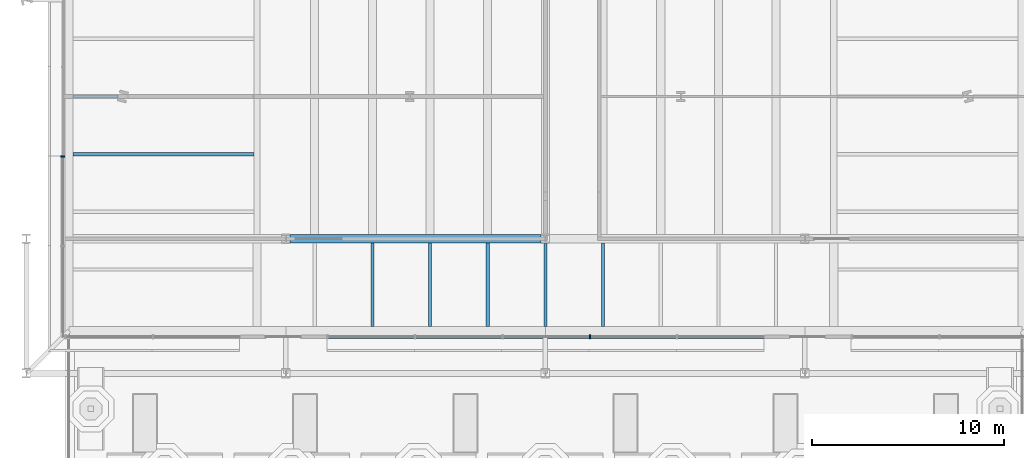
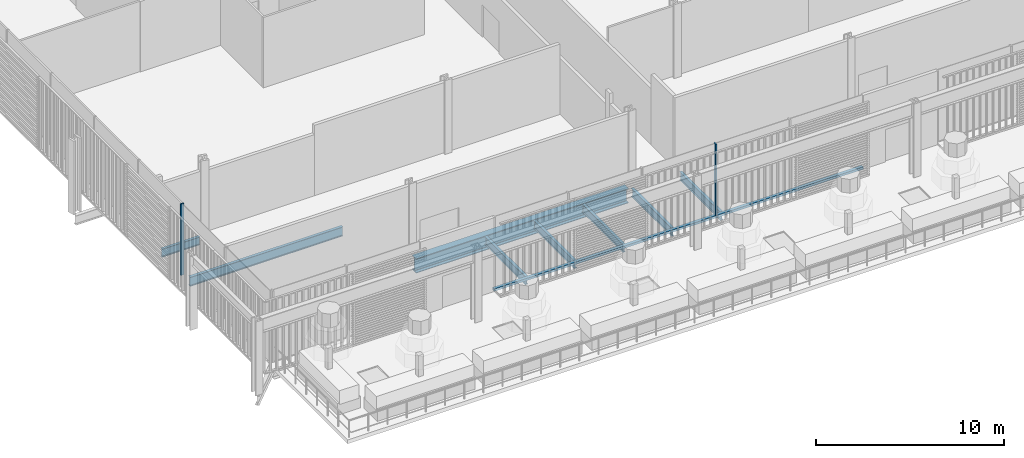
# One storey, part 3 of 25: 8 beams, 3 members, 2 elements without a shape of their own.
"""IFC4 building model written with IfcOpenShell, lengths in metres."""

import ifcopenshell
import ifcopenshell.guid

model = None  # the IFC model being written
_history = None  # IfcOwnerHistory: only IFC2X3 demands one
_inside = {}  # id of a spatial element -> (the spatial element, [elements in it])
_under = {}  # id of a project, library or spatial element -> (it, [spatial elements below it])
_declared = {}  # id of a project -> (the project, [libraries it declares])
_typed = {}  # id of a type object -> (the type object, [elements of that type])
_made_of = {}  # id of a material, layer set ... -> (it, [elements and type objects made of it])


def new_model(schema):
    """Start an empty IFC model of exactly this schema.

    Asked for "IFC4X3", IfcOpenShell would pick the latest addendum, in which some entities
    have other attributes; the version numbers below select the first issue.
    IFC2X3 requires an IfcOwnerHistory on every rooted entity: one is made here for all.
    """
    global model, _history
    if schema == "IFC4X3":
        model = ifcopenshell.file(schema_version=(4, 3, 0, 0))
    else:
        model = ifcopenshell.file(schema=schema)
    _inside.clear()
    _under.clear()
    _declared.clear()
    _typed.clear()
    _made_of.clear()
    _history = None
    if model.schema == "IFC2X3":
        org = make("IfcOrganization", Name="unknown")
        user = make(
            "IfcPersonAndOrganization",
            ThePerson=make("IfcPerson", FamilyName="unknown"),
            TheOrganization=org,
        )
        app = make(
            "IfcApplication",
            ApplicationDeveloper=org,
            Version="unknown",
            ApplicationFullName="unknown",
            ApplicationIdentifier="unknown",
        )
        _history = make(
            "IfcOwnerHistory",
            OwningUser=user,
            OwningApplication=app,
            ChangeAction="ADDED",
            CreationDate=0,
        )
    return model


def make(cls, **values):
    """One entity of the class cls with the attributes given. An attribute that is None is left unset."""
    return model.create_entity(
        cls, **{name: value for name, value in values.items() if value is not None}
    )


def rooted(cls, **values):
    """An entity with a GlobalId (a new one), such as an element, a storey or a relation."""
    return make(cls, GlobalId=ifcopenshell.guid.new(), OwnerHistory=_history, **values)


def si_unit(unit_type, name, prefix=None):
    """IfcSIUnit, for example si_unit("LENGTHUNIT", "METRE", prefix="MILLI")."""
    return make("IfcSIUnit", UnitType=unit_type, Prefix=prefix, Name=name)


def assignment(units):
    """IfcUnitAssignment: the units of a project."""
    return None if units is None else make("IfcUnitAssignment", Units=units)


def point(xyz):
    """IfcCartesianPoint."""
    return None if xyz is None else make("IfcCartesianPoint", Coordinates=xyz)


def direction(xyz):
    """IfcDirection."""
    return None if xyz is None else make("IfcDirection", DirectionRatios=xyz)


def frame(location, z_axis=None, x_axis=None):
    """IfcAxis2Placement3D, a coordinate frame: its origin and axes. An axis left out is left unset."""
    return make(
        "IfcAxis2Placement3D",
        Location=point(location),
        Axis=direction(z_axis),
        RefDirection=direction(x_axis),
    )


def frame_2d(location, x_axis=None):
    """IfcAxis2Placement2D, a coordinate frame in the plane: its origin and x axis."""
    return make(
        "IfcAxis2Placement2D", Location=point(location), RefDirection=direction(x_axis)
    )


def origin():
    """The frame at (0, 0, 0) with its axes left unset."""
    return frame((0.0, 0.0, 0.0))


def origin_2d():
    """The frame at (0, 0) in the plane with its x axis left unset."""
    return frame_2d((0.0, 0.0))


def place(relative_to, where):
    """IfcLocalPlacement: puts the frame where relative to a parent placement (None: the world)."""
    return make(
        "IfcLocalPlacement", PlacementRelTo=relative_to, RelativePlacement=where
    )


def context(
    kind, dimensions, precision=None, world=None, true_north=None, identifier=None
):
    """IfcGeometricRepresentationContext, for example the 3D "Model" context."""
    return make(
        "IfcGeometricRepresentationContext",
        ContextIdentifier=identifier,
        ContextType=kind,
        CoordinateSpaceDimension=dimensions,
        Precision=precision,
        WorldCoordinateSystem=world,
        TrueNorth=true_north,
    )


def subcontext(parent, identifier, kind, view, scale=None):
    """IfcGeometricRepresentationSubContext, for example "Body" below "Model"."""
    return make(
        "IfcGeometricRepresentationSubContext",
        ContextIdentifier=identifier,
        ContextType=kind,
        ParentContext=parent,
        TargetScale=scale,
        TargetView=view,
    )


def project(units=None, contexts=None):
    """IfcProject with its units and contexts."""
    return rooted(
        "IfcProject",
        Name="project",
        RepresentationContexts=contexts,
        UnitsInContext=assignment(units),
    )


def spatial(cls, under=None, at=None, **own):
    """A site, building, storey or space (cls), placed at a placement, below another one or the project."""
    s = rooted(cls, ObjectPlacement=at, **own)
    if under is not None:
        _under.setdefault(under.id(), (under, []))[1].append(s)
    return s


def profile(cls, at=None, kind="AREA", **sizes):
    """A parametric profile (cls). Its sizes go by their IFC names, for example OverallWidth=200.0."""
    return make(cls, ProfileType=kind, Position=at, **sizes)


def rectangle(**sizes):
    """IfcRectangleProfileDef."""
    return profile("IfcRectangleProfileDef", **sizes)


def i_section(**sizes):
    """IfcIShapeProfileDef."""
    return profile("IfcIShapeProfileDef", **sizes)


def extrude(swept, where, along, depth):
    """IfcExtrudedAreaSolid: the profile swept, set in the frame where, extruded along a direction by depth."""
    return make(
        "IfcExtrudedAreaSolid",
        SweptArea=swept,
        Position=where,
        ExtrudedDirection=direction(along),
        Depth=depth,
    )


def shape(context_of_items, identifier, shape_type, items):
    """IfcShapeRepresentation: the items that make up one representation, for example the "Body"."""
    return make(
        "IfcShapeRepresentation",
        ContextOfItems=context_of_items,
        RepresentationIdentifier=identifier,
        RepresentationType=shape_type,
        Items=items,
    )


def material(Name=None, Category=None):
    """IfcMaterial."""
    return make("IfcMaterial", Name=Name, Category=Category)


def layer(
    of_material, thickness, ventilated=None, Name=None, Category=None, Priority=None
):
    """IfcMaterialLayer: one layer of a wall or slab, of a material (None: an air gap)."""
    return make(
        "IfcMaterialLayer",
        Material=of_material,
        LayerThickness=thickness,
        IsVentilated=ventilated,
        Name=Name,
        Category=Category,
        Priority=Priority,
    )


def layer_set(layers, Name=None):
    """IfcMaterialLayerSet."""
    return make("IfcMaterialLayerSet", MaterialLayers=layers, LayerSetName=Name)


def material_profile(
    of_material, cross_section, Name=None, Category=None, Priority=None
):
    """IfcMaterialProfile: a cross section and its material."""
    return make(
        "IfcMaterialProfile",
        Name=Name,
        Material=of_material,
        Profile=cross_section,
        Priority=Priority,
        Category=Category,
    )


def profile_set(profiles, Name=None, composite=None):
    """IfcMaterialProfileSet."""
    return make(
        "IfcMaterialProfileSet",
        Name=Name,
        MaterialProfiles=profiles,
        CompositeProfile=composite,
    )


def made_of(thing, what):
    """Note that an element or type object is made of a material, layer set ...; save() writes the relation."""
    if what is not None:
        _made_of.setdefault(what.id(), (what, []))[1].append(thing)
    return thing


def type_object(cls, material=None, **own):
    """A type object (cls), such as IfcWallType, which elements share."""
    return made_of(rooted(cls, **own), material)


def element(
    cls,
    number,
    at=None,
    inside=None,
    cuts=None,
    type_object=None,
    material=None,
    context=None,
    identifier="Body",
    shape_type=None,
    held_by="IfcProductDefinitionShape",
    body=None,
    shapes=None,
    **own,
):
    """One element of the class cls, such as IfcWall. Its Tag is "e" and its number.

    at: its placement. inside: the storey or other place that contains it. cuts: it is an
    opening in that element (IfcRelVoidsElement). A single representation is given by context,
    identifier, shape_type and body (its items); several are given by shapes. held_by: the class
    of the entity that holds the representations. save() writes the other relations.
    """
    e = rooted(cls, Tag="e%d" % number, ObjectPlacement=at, **own)
    if body is not None:
        shapes = [shape(context, identifier, shape_type, body)]
    if shapes is not None:
        e.Representation = make(held_by, Representations=shapes)
    if inside is not None:
        _inside.setdefault(inside.id(), (inside, []))[1].append(e)
    if cuts is not None:
        rooted(
            "IfcRelVoidsElement", RelatingBuildingElement=cuts, RelatedOpeningElement=e
        )
    if type_object is not None:
        _typed.setdefault(type_object.id(), (type_object, []))[1].append(e)
    return made_of(e, material)


def aggregate(whole, parts):
    """IfcRelAggregates: a whole, such as a stair, and the parts it consists of."""
    return rooted("IfcRelAggregates", RelatingObject=whole, RelatedObjects=parts)


def save(model, path):
    """Write the relations noted so far, then the file.

    IfcRelAggregates (storeys below a building ...), IfcRelContainedInSpatialStructure (elements
    in a storey), IfcRelDefinesByType, IfcRelAssociatesMaterial and IfcRelDeclares: one each for
    every whole, place, type object, material and project.
    """
    for whole, parts in _under.values():
        aggregate(whole, parts)
    for where, things in _inside.values():
        rooted(
            "IfcRelContainedInSpatialStructure",
            RelatedElements=things,
            RelatingStructure=where,
        )
    for kind, things in _typed.values():
        rooted("IfcRelDefinesByType", RelatedObjects=things, RelatingType=kind)
    for what, things in _made_of.values():
        rooted("IfcRelAssociatesMaterial", RelatedObjects=things, RelatingMaterial=what)
    for by, libraries in _declared.values():
        rooted("IfcRelDeclares", RelatingContext=by, RelatedDefinitions=libraries)
    model.write(path)


model = new_model("IFC4")

# Units and contexts
model_context = context("Model", 3, precision=1e-05, world=origin(), true_north=direction((0.0, 1.0)))
body_context = subcontext(model_context, "Body", "Model", "MODEL_VIEW")
ifc_project = project(units=[si_unit("LENGTHUNIT", "METRE"), si_unit("AREAUNIT", "SQUARE_METRE"), si_unit("VOLUMEUNIT", "CUBIC_METRE"), si_unit("PLANEANGLEUNIT", "RADIAN"), si_unit("MASSUNIT", "GRAM", prefix="KILO")], contexts=[model_context])

# Site, building, storey
site_placement = place(None, origin())
site = spatial("IfcSite", under=ifc_project, at=site_placement, CompositionType="ELEMENT")
building_placement = place(site_placement, origin())
building = spatial("IfcBuilding", under=site, at=building_placement, Name="Millrace Tower", CompositionType="ELEMENT")
storey_placement = place(building_placement, frame((0.0, 0.0, 6.5)))
storey = spatial("IfcBuildingStorey", under=building, at=storey_placement, Name="L02", CompositionType="ELEMENT", Elevation=6.5)

# Curtain wall, member
ifc_material_1 = material(Name="Aluminium and glass", Category="aluminium")
ifc_layer = layer(ifc_material_1, 0.199951171875)
ifc_layer_set = layer_set([ifc_layer], Name="Aluminium and glass")
curtain_wall_type = type_object("IfcCurtainWallType", Name="CW-6 lobby and cascade wing storefront", PredefinedType="NOTDEFINED", material=ifc_layer_set)
placement = place(storey_placement, origin())
curtain_wall_1 = element("IfcCurtainWall", 1, at=placement, inside=storey, type_object=curtain_wall_type, Name="Curtain wall AW2-F01 L02", PredefinedType="NOTDEFINED")
ifc_material_2 = material(Name="Aluminium", Category="aluminium")
ifc_material_profile_1 = material_profile(ifc_material_2, rectangle(XDim=0.074951171875, YDim=0.199951171875, at=origin_2d()))
ifc_profile_set_1 = profile_set([ifc_material_profile_1], Name="Aluminium")
member_type_1 = type_object("IfcMemberType", Name="CW-6 lobby and cascade wing storefront mullion", PredefinedType="MULLION", material=ifc_profile_set_1)
member_1_placement = place(storey_placement, frame((2.310302734375, -39.5, 0.14990234375), z_axis=(0.0, 0.0, 1.0), x_axis=(1.0, 0.0, 0.0)))
member_1 = element("IfcMember", 2, at=member_1_placement, type_object=member_type_1, Name="CW6 mullion AW2-F01.7", PredefinedType="MULLION", context=body_context, shape_type="SweptSolid", body=[
    extrude(rectangle(XDim=0.074951171875, YDim=0.199951171875, at=origin_2d()), origin(), (0.0, 0.0, 1.0), 4.650146484375),
])

curtain_wall_2 = element("IfcCurtainWall", 3, at=placement, inside=storey, type_object=curtain_wall_type, Name="Curtain wall AW2-F06 L02 CW6", PredefinedType="NOTDEFINED")
member_2_placement = place(storey_placement, frame((-25.10009765625, -30.1220703125, 0.14990234375), z_axis=(0.0, 0.0, 1.0), x_axis=(0.0, -1.0, 0.0)))
member_2 = element("IfcMember", 4, at=member_2_placement, type_object=member_type_1, Name="CW6 mullion AW2-F06.12", PredefinedType="MULLION", context=body_context, shape_type="SweptSolid", body=[
    extrude(rectangle(XDim=0.074951171875, YDim=0.199951171875, at=origin_2d()), origin(), (0.0, 0.0, 1.0), 4.650146484375),
])
aggregate(curtain_wall_2, [member_2])

# Member
ifc_material_3 = material(Name="Aluminium", Category="aluminium")
ifc_material_profile_2 = material_profile(ifc_material_3, rectangle(XDim=0.199951171875, YDim=0.14990234375, at=origin_2d()))
ifc_profile_set_2 = profile_set([ifc_material_profile_2], Name="Aluminium")
member_type_2 = type_object("IfcMemberType", Name="CW-6 lobby and cascade wing storefront transom", PredefinedType="USERDEFINED", material=ifc_profile_set_2)
member_3_placement = place(storey_placement, frame((-11.363525390625, -39.5, 0.074951171875), z_axis=(1.0, 0.0, 0.0), x_axis=(0.0, 1.0, 0.0)))
member_3 = element("IfcMember", 5, at=member_3_placement, type_object=member_type_2, Name="CW6 transom AW2-F01.2", ObjectType="TRANSOM", PredefinedType="USERDEFINED", context=body_context, shape_type="SweptSolid", body=[
    extrude(rectangle(XDim=0.199951171875, YDim=0.14990234375, at=origin_2d()), origin(), (0.0, 0.0, 1.0), 22.72705078125),
])

aggregate(curtain_wall_1, [member_1, member_3])

# Beams
ifc_material_4 = material(Name="Steel ASTM A992 Grade 50", Category="steel")
ifc_material_profile_3 = material_profile(ifc_material_4, i_section(OverallWidth=0.1650390625, OverallDepth=0.52587890625, WebThickness=0.0087890625, FlangeThickness=0.011474609375, FilletRadius=0.0126953125, at=origin_2d()))
ifc_profile_set_3 = profile_set([ifc_material_profile_3], Name="Steel ASTM A992 Grade 50")
beam_type_1 = type_object("IfcBeamType", Name="Floor beam W21x44", PredefinedType="JOIST", material=ifc_profile_set_3)
beam_1_placement = place(storey_placement, frame((-24.578369140625, -27.0, -0.48779296875), z_axis=(1.0, 0.0, 0.0), x_axis=(0.0, 1.0, 0.0)))
element("IfcBeam", 6, at=beam_1_placement, inside=storey, type_object=beam_type_1, Name="BM-A-L02-S1-S007", PredefinedType="JOIST", context=body_context, shape_type="SweptSolid", body=[
    extrude(i_section(OverallWidth=0.1650390625, OverallDepth=0.52587890625, WebThickness=0.0087890625, FlangeThickness=0.011474609375, FilletRadius=0.0126953125, at=origin_2d()), origin(), (0.0, 0.0, 1.0), 2.343994140625),
])
for number, where, z_axis, x_axis, name in (
    (7, (-9.0, -38.978271484375, -0.48779296875), (0.0, 1.0, 0.0), (-1.0, 0.0, 0.0), "BM-A-L02-S1-S056"),
    (8, (-6.0, -38.978271484375, -0.48779296875), (0.0, 1.0, 0.0), (-1.0, 0.0, 0.0), "BM-A-L02-S1-S059"),
    (9, (-3.0, -38.978271484375, -0.48779296875), (0.0, 1.0, 0.0), (-1.0, 0.0, 0.0), "BM-A-L02-S1-S062"),
):
    element("IfcBeam", number, at=place(storey_placement, frame(where, z_axis=z_axis, x_axis=x_axis)), inside=storey, type_object=beam_type_1, Name=name, PredefinedType="JOIST", context=body_context, shape_type="SweptSolid", body=[
        extrude(i_section(OverallWidth=0.1650390625, OverallDepth=0.52587890625, WebThickness=0.0087890625, FlangeThickness=0.011474609375, FilletRadius=0.0126953125, at=origin_2d()), origin(), (0.0, 0.0, 1.0), 4.3662109375),
    ])
beam_2_placement = place(storey_placement, frame((0.0, -38.978271484375, -0.48779296875), z_axis=(0.0, 1.0, 0.0), x_axis=(-1.0, 0.0, 0.0)))
element("IfcBeam", 10, at=beam_2_placement, inside=storey, type_object=beam_type_1, Name="BM-A-L02-S1-S065", PredefinedType="JOIST", context=body_context, shape_type="SweptSolid", body=[
    extrude(i_section(OverallWidth=0.1650390625, OverallDepth=0.52587890625, WebThickness=0.0087890625, FlangeThickness=0.011474609375, FilletRadius=0.0126953125, at=origin_2d()), origin(), (0.0, 0.0, 1.0), 4.326171875),
])
beam_3_placement = place(storey_placement, frame((3.0, -38.978271484375, -0.48779296875), z_axis=(0.0, 1.0, 0.0), x_axis=(-1.0, 0.0, 0.0)))
element("IfcBeam", 11, at=beam_3_placement, inside=storey, type_object=beam_type_1, Name="BM-A-L02-S1-S068", PredefinedType="JOIST", context=body_context, shape_type="SweptSolid", body=[
    extrude(i_section(OverallWidth=0.1650390625, OverallDepth=0.52587890625, WebThickness=0.0087890625, FlangeThickness=0.011474609375, FilletRadius=0.0126953125, at=origin_2d()), origin(), (0.0, 0.0, 1.0), 4.3662109375),
])
ifc_material_5 = material(Name="Steel ASTM A992 Grade 50", Category="steel")
ifc_material_profile_4 = material_profile(ifc_material_5, i_section(OverallWidth=0.1787109375, OverallDepth=0.60205078125, WebThickness=0.010986328125, FlangeThickness=0.014892578125, FilletRadius=0.0126953125, at=origin_2d()))
ifc_profile_set_4 = profile_set([ifc_material_profile_4], Name="Steel ASTM A992 Grade 50")
beam_type_2 = type_object("IfcBeamType", Name="Floor beam W24x62", PredefinedType="JOIST", material=ifc_profile_set_4)
beam_4_placement = place(storey_placement, frame((-24.578369140625, -30.0, -0.52587890625), z_axis=(1.0, 0.0, 0.0), x_axis=(0.0, 1.0, 0.0)))
element("IfcBeam", 12, at=beam_4_placement, inside=storey, type_object=beam_type_2, Name="BM-A-L02-S1-S005", PredefinedType="JOIST", context=body_context, shape_type="SweptSolid", body=[
    extrude(i_section(OverallWidth=0.1787109375, OverallDepth=0.60205078125, WebThickness=0.010986328125, FlangeThickness=0.014892578125, FilletRadius=0.0126953125, at=origin_2d()), origin(), (0.0, 0.0, 1.0), 9.414306640625),
])
ifc_material_6 = material(Name="Steel ASTM A992 Grade 50", Category="steel")
ifc_material_profile_5 = material_profile(ifc_material_6, i_section(OverallWidth=0.424072265625, OverallDepth=0.947509765625, WebThickness=0.02392578125, FlangeThickness=0.042724609375, FilletRadius=0.024169921875, at=origin_2d()))
ifc_profile_set_5 = profile_set([ifc_material_profile_5], Name="Steel ASTM A992 Grade 50")
beam_type_3 = type_object("IfcBeamType", Name="Girder medium span W36x302", PredefinedType="BEAM", material=ifc_profile_set_5)
beam_5_placement = place(storey_placement, frame((-13.283935546875, -34.39990234375, -0.69873046875), z_axis=(1.0, 0.0, 0.0), x_axis=(0.0, 1.0, 0.0)))
element("IfcBeam", 13, at=beam_5_placement, inside=storey, type_object=beam_type_3, Name="BM-A-L02-S1-G088", PredefinedType="BEAM", context=body_context, shape_type="SweptSolid", body=[
    extrude(i_section(OverallWidth=0.424072265625, OverallDepth=0.947509765625, WebThickness=0.02392578125, FlangeThickness=0.042724609375, FilletRadius=0.024169921875, at=origin_2d()), origin(), (0.0, 0.0, 1.0), 13.06787109375),
])

save(model, "model.ifc")
